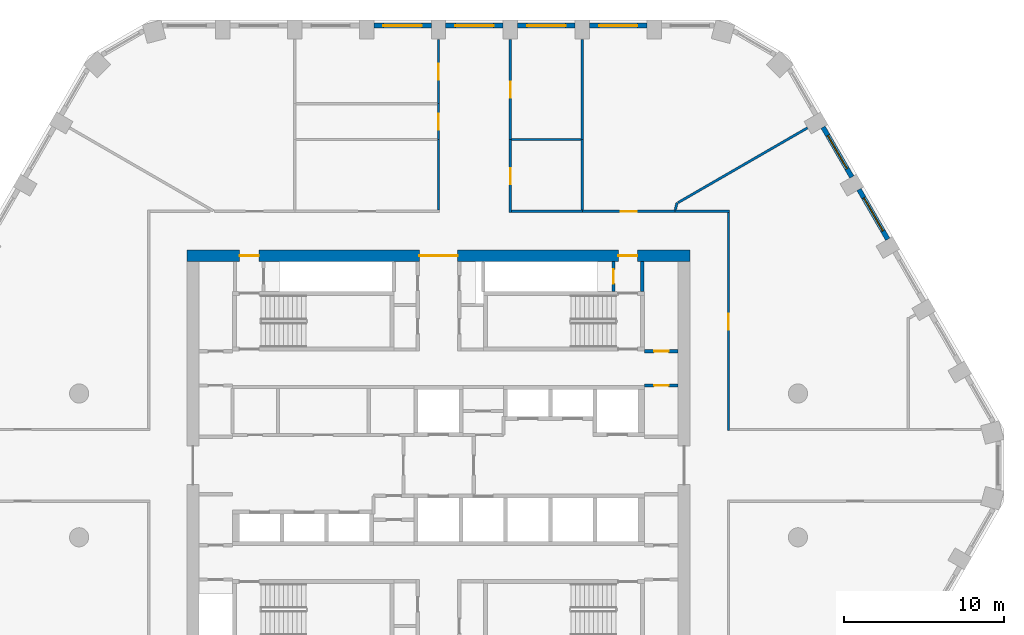
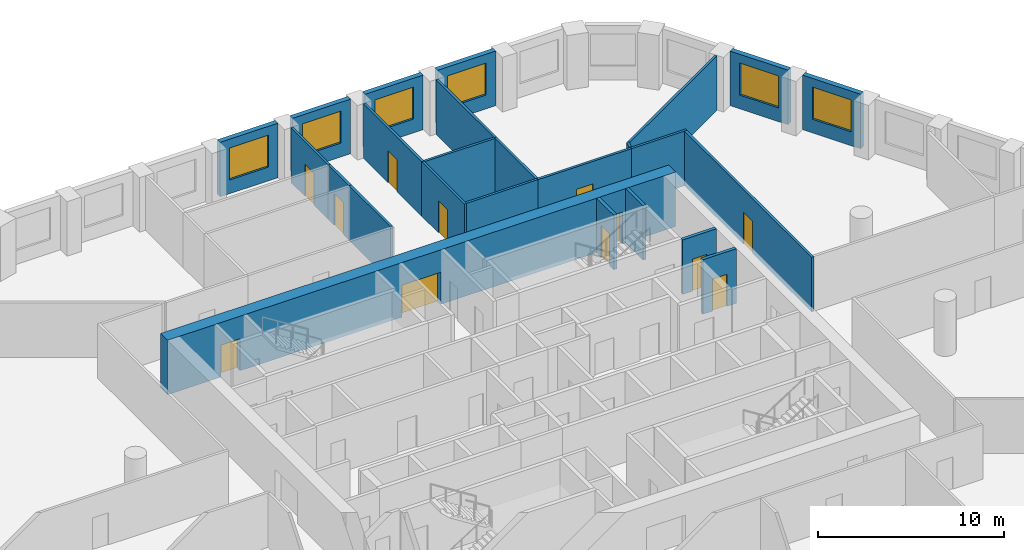
# One storey, part 7 of 9: 25 walls, 12 doors, 6 windows, 18 openings.
"""IFC4 building model written with IfcOpenShell, lengths in metres."""

from ifc_helpers import new_model, si_unit, direction, frame, frame_2d, origin, place, context, subcontext, project, spatial, rectangle, extrude, material, layer, layer_set, type_object, element, fill, save


model = new_model("IFC4")

# Units and contexts
model_context = context("Model", 3, precision=1e-05, world=origin(), true_north=direction((0.0, 1.0)))
body_context = subcontext(model_context, "Body", "Model", "MODEL_VIEW")
ifc_project = project(units=[si_unit("LENGTHUNIT", "METRE"), si_unit("AREAUNIT", "SQUARE_METRE"), si_unit("VOLUMEUNIT", "CUBIC_METRE"), si_unit("PLANEANGLEUNIT", "RADIAN"), si_unit("MASSUNIT", "GRAM", prefix="KILO")], contexts=[model_context])

# Site, building, storey
site_placement = place(None, origin())
site = spatial("IfcSite", under=ifc_project, at=site_placement, CompositionType="ELEMENT")
building_placement = place(site_placement, origin())
building = spatial("IfcBuilding", under=site, at=building_placement, Name="Dhurran Vertical Campus", CompositionType="ELEMENT")
storey_placement = place(building_placement, frame((0.0, 0.0, 159.89990234375)))
storey = spatial("IfcBuildingStorey", under=building, at=storey_placement, Name="L39", CompositionType="ELEMENT", Elevation=159.89990234375)

# Wall, opening, window
ifc_material_1 = material(Name="Precast concrete C50/60", Category="concrete")
ifc_layer_1 = layer(ifc_material_1, 0.300048828125)
ifc_layer_set_1 = layer_set([ifc_layer_1], Name="Precast concrete C50/60")
wall_type_1 = type_object("IfcWallType", Name="Precast spandrel wall 300", PredefinedType="SOLIDWALL", material=ifc_layer_set_1)
wall_1_placement = place(storey_placement, frame((28.118896484375, 14.156494140625, 0.0), z_axis=(0.0, 0.0, 1.0), x_axis=(-0.500027802648, 0.866009351323, 0.0)))
wall_1 = element("IfcWall", 1, at=wall_1_placement, inside=storey, type_object=wall_type_1, Name="EW1 L39.19", PredefinedType="SOLIDWALL", context=body_context, shape_type="SweptSolid", body=[
    extrude(rectangle(XDim=3.598876953125, YDim=0.300048828125, at=frame_2d((1.79931640625, 0.0))), origin(), (0.0, 0.0, 1.0), 3.5751953125),
])
opening_1_placement = place(wall_1_placement, frame((0.599609375, 0.0, 0.89990234375)))
opening_1 = element("IfcOpeningElement", 2, at=opening_1_placement, cuts=wall_1, Name="Opening WT1", PredefinedType="OPENING", context=body_context, shape_type="SweptSolid", body=[
    extrude(rectangle(XDim=2.39990234375, YDim=2.10009765625, at=frame_2d((1.199951171875, 1.050048828125))), frame((0.0, 0.159912109375, 0.0), z_axis=(0.0, -1.0, 0.0), x_axis=(1.0, 0.0, 0.0)), (0.0, 0.0, 1.0), 0.320068359375),
])
ifc_material_2 = material(Name="Aluminium frame with solar-control glass", Category="aluminium")
window_type = type_object("IfcWindowType", Name="Punched window 2400 x 2100", PartitioningType="SINGLE_PANEL", PredefinedType="WINDOW", material=ifc_material_2)
window_1_placement = place(opening_1_placement, origin())
window_1 = element("IfcWindow", 3, at=window_1_placement, inside=storey, type_object=window_type, Name="WT1 L39.19", OverallHeight=2.10009765625, OverallWidth=2.39990234375, PartitioningType="SINGLE_PANEL", PredefinedType="WINDOW", context=body_context, shape_type="SweptSolid", body=[
    extrude(rectangle(XDim=2.39990234375, YDim=2.10009765625, at=frame_2d((1.199951171875, 1.050048828125))), frame((0.0, 0.030029296875, 0.0), z_axis=(0.0, -1.0, 0.0), x_axis=(1.0, 0.0, 0.0)), (0.0, 0.0, 1.0), 0.06005859375),
])
fill(opening_1, window_1)

wall_2_placement = place(storey_placement, frame((25.868896484375, 18.0537109375, 0.0), z_axis=(0.0, 0.0, 1.0), x_axis=(-0.500027802648, 0.866009351323, 0.0)))
wall_2 = element("IfcWall", 4, at=wall_2_placement, inside=storey, type_object=wall_type_1, Name="EW1 L39.20", PredefinedType="SOLIDWALL", context=body_context, shape_type="SweptSolid", body=[
    extrude(rectangle(XDim=3.598876953125, YDim=0.300048828125, at=frame_2d((1.79931640625, 0.0))), origin(), (0.0, 0.0, 1.0), 3.5751953125),
])
opening_2_placement = place(wall_2_placement, frame((0.599609375, 0.0, 0.89990234375)))
opening_2 = element("IfcOpeningElement", 5, at=opening_2_placement, cuts=wall_2, Name="Opening WT1", PredefinedType="OPENING", context=body_context, shape_type="SweptSolid", body=[
    extrude(rectangle(XDim=2.39990234375, YDim=2.10009765625, at=frame_2d((1.199951171875, 1.050048828125))), frame((0.0, 0.159912109375, 0.0), z_axis=(0.0, -1.0, 0.0), x_axis=(1.0, 0.0, 0.0)), (0.0, 0.0, 1.0), 0.320068359375),
])
window_2_placement = place(opening_2_placement, origin())
window_2 = element("IfcWindow", 6, at=window_2_placement, inside=storey, type_object=window_type, Name="WT1 L39.20", OverallHeight=2.10009765625, OverallWidth=2.39990234375, PartitioningType="SINGLE_PANEL", PredefinedType="WINDOW", context=body_context, shape_type="SweptSolid", body=[
    extrude(rectangle(XDim=2.39990234375, YDim=2.10009765625, at=frame_2d((1.199951171875, 1.050048828125))), frame((0.0, 0.030029296875, 0.0), z_axis=(0.0, -1.0, 0.0), x_axis=(1.0, 0.0, 0.0)), (0.0, 0.0, 1.0), 0.06005859375),
])
fill(opening_2, window_2)

wall_3_placement = place(storey_placement, frame((13.049560546875, 27.53271484375, 0.0), z_axis=(0.0, 0.0, 1.0), x_axis=(-1.0, 0.0, 0.0)))
wall_3 = element("IfcWall", 7, at=wall_3_placement, inside=storey, type_object=wall_type_1, Name="EW1 L39.24", PredefinedType="SOLIDWALL", context=body_context, shape_type="SweptSolid", body=[
    extrude(rectangle(XDim=3.59912109375, YDim=0.300048828125, at=frame_2d((1.799560546875, 0.0))), origin(), (0.0, 0.0, 1.0), 3.5751953125),
])
opening_3_placement = place(wall_3_placement, frame((0.599609375, 0.0, 0.89990234375)))
opening_3 = element("IfcOpeningElement", 8, at=opening_3_placement, cuts=wall_3, Name="Opening WT1", PredefinedType="OPENING", context=body_context, shape_type="SweptSolid", body=[
    extrude(rectangle(XDim=2.39990234375, YDim=2.10009765625, at=frame_2d((1.199951171875, 1.050048828125))), frame((0.0, 0.159912109375, 0.0), z_axis=(0.0, -1.0, 0.0), x_axis=(1.0, 0.0, 0.0)), (0.0, 0.0, 1.0), 0.320068359375),
])
window_3_placement = place(opening_3_placement, origin())
window_3 = element("IfcWindow", 9, at=window_3_placement, inside=storey, type_object=window_type, Name="WT1 L39.24", OverallHeight=2.10009765625, OverallWidth=2.39990234375, PartitioningType="SINGLE_PANEL", PredefinedType="WINDOW", context=body_context, shape_type="SweptSolid", body=[
    extrude(rectangle(XDim=2.39990234375, YDim=2.10009765625, at=frame_2d((1.199951171875, 1.050048828125))), frame((0.0, 0.030029296875, 0.0), z_axis=(0.0, -1.0, 0.0), x_axis=(1.0, 0.0, 0.0)), (0.0, 0.0, 1.0), 0.06005859375),
])
fill(opening_3, window_3)

wall_4_placement = place(storey_placement, frame((8.549560546875, 27.53271484375, 0.0), z_axis=(0.0, 0.0, 1.0), x_axis=(-1.0, 0.0, 0.0)))
wall_4 = element("IfcWall", 10, at=wall_4_placement, inside=storey, type_object=wall_type_1, Name="EW1 L39.25", PredefinedType="SOLIDWALL", context=body_context, shape_type="SweptSolid", body=[
    extrude(rectangle(XDim=3.59912109375, YDim=0.300048828125, at=frame_2d((1.799560546875, 0.0))), origin(), (0.0, 0.0, 1.0), 3.5751953125),
])
opening_4_placement = place(wall_4_placement, frame((0.599609375, 0.0, 0.89990234375)))
opening_4 = element("IfcOpeningElement", 11, at=opening_4_placement, cuts=wall_4, Name="Opening WT1", PredefinedType="OPENING", context=body_context, shape_type="SweptSolid", body=[
    extrude(rectangle(XDim=2.39990234375, YDim=2.10009765625, at=frame_2d((1.199951171875, 1.050048828125))), frame((0.0, 0.159912109375, 0.0), z_axis=(0.0, -1.0, 0.0), x_axis=(1.0, 0.0, 0.0)), (0.0, 0.0, 1.0), 0.320068359375),
])
window_4_placement = place(opening_4_placement, origin())
window_4 = element("IfcWindow", 12, at=window_4_placement, inside=storey, type_object=window_type, Name="WT1 L39.25", OverallHeight=2.10009765625, OverallWidth=2.39990234375, PartitioningType="SINGLE_PANEL", PredefinedType="WINDOW", context=body_context, shape_type="SweptSolid", body=[
    extrude(rectangle(XDim=2.39990234375, YDim=2.10009765625, at=frame_2d((1.199951171875, 1.050048828125))), frame((0.0, 0.030029296875, 0.0), z_axis=(0.0, -1.0, 0.0), x_axis=(1.0, 0.0, 0.0)), (0.0, 0.0, 1.0), 0.06005859375),
])
fill(opening_4, window_4)

wall_5_placement = place(storey_placement, frame((4.049560546875, 27.53271484375, 0.0), z_axis=(0.0, 0.0, 1.0), x_axis=(-1.0, 0.0, 0.0)))
wall_5 = element("IfcWall", 13, at=wall_5_placement, inside=storey, type_object=wall_type_1, Name="EW1 L39.26", PredefinedType="SOLIDWALL", context=body_context, shape_type="SweptSolid", body=[
    extrude(rectangle(XDim=3.59912109375, YDim=0.300048828125, at=frame_2d((1.799560546875, 0.0))), origin(), (0.0, 0.0, 1.0), 3.5751953125),
])
opening_5_placement = place(wall_5_placement, frame((0.599609375, 0.0, 0.89990234375)))
opening_5 = element("IfcOpeningElement", 14, at=opening_5_placement, cuts=wall_5, Name="Opening WT1", PredefinedType="OPENING", context=body_context, shape_type="SweptSolid", body=[
    extrude(rectangle(XDim=2.39990234375, YDim=2.10009765625, at=frame_2d((1.199951171875, 1.050048828125))), frame((0.0, 0.159912109375, 0.0), z_axis=(0.0, -1.0, 0.0), x_axis=(1.0, 0.0, 0.0)), (0.0, 0.0, 1.0), 0.320068359375),
])
window_5_placement = place(opening_5_placement, origin())
window_5 = element("IfcWindow", 15, at=window_5_placement, inside=storey, type_object=window_type, Name="WT1 L39.26", OverallHeight=2.10009765625, OverallWidth=2.39990234375, PartitioningType="SINGLE_PANEL", PredefinedType="WINDOW", context=body_context, shape_type="SweptSolid", body=[
    extrude(rectangle(XDim=2.39990234375, YDim=2.10009765625, at=frame_2d((1.199951171875, 1.050048828125))), frame((0.0, 0.030029296875, 0.0), z_axis=(0.0, -1.0, 0.0), x_axis=(1.0, 0.0, 0.0)), (0.0, 0.0, 1.0), 0.06005859375),
])
fill(opening_5, window_5)

wall_6_placement = place(storey_placement, frame((-0.450439453125, 27.53271484375, 0.0), z_axis=(0.0, 0.0, 1.0), x_axis=(-1.0, 0.0, 0.0)))
wall_6 = element("IfcWall", 16, at=wall_6_placement, inside=storey, type_object=wall_type_1, Name="EW1 L39.27", PredefinedType="SOLIDWALL", context=body_context, shape_type="SweptSolid", body=[
    extrude(rectangle(XDim=3.59912109375, YDim=0.300048828125, at=frame_2d((1.799560546875, 0.0))), origin(), (0.0, 0.0, 1.0), 3.5751953125),
])
opening_6_placement = place(wall_6_placement, frame((0.599609375, 0.0, 0.89990234375)))
opening_6 = element("IfcOpeningElement", 17, at=opening_6_placement, cuts=wall_6, Name="Opening WT1", PredefinedType="OPENING", context=body_context, shape_type="SweptSolid", body=[
    extrude(rectangle(XDim=2.39990234375, YDim=2.10009765625, at=frame_2d((1.199951171875, 1.050048828125))), frame((0.0, 0.159912109375, 0.0), z_axis=(0.0, -1.0, 0.0), x_axis=(1.0, 0.0, 0.0)), (0.0, 0.0, 1.0), 0.320068359375),
])
window_6_placement = place(opening_6_placement, origin())
window_6 = element("IfcWindow", 18, at=window_6_placement, inside=storey, type_object=window_type, Name="WT1 L39.27", OverallHeight=2.10009765625, OverallWidth=2.39990234375, PartitioningType="SINGLE_PANEL", PredefinedType="WINDOW", context=body_context, shape_type="SweptSolid", body=[
    extrude(rectangle(XDim=2.39990234375, YDim=2.10009765625, at=frame_2d((1.199951171875, 1.050048828125))), frame((0.0, 0.030029296875, 0.0), z_axis=(0.0, -1.0, 0.0), x_axis=(1.0, 0.0, 0.0)), (0.0, 0.0, 1.0), 0.06005859375),
])
fill(opening_6, window_6)

# Wall, openings, doors
ifc_material_3 = material(Name="Concrete C60/75", Category="concrete")
ifc_layer_2 = layer(ifc_material_3, 0.75)
ifc_layer_set_2 = layer_set([ifc_layer_2], Name="Concrete C60/75")
wall_type_2 = type_object("IfcWallType", Name="co-CORE-WALL-C1-750", PredefinedType="SHEAR", material=ifc_layer_set_2)
wall_7_placement = place(storey_placement, frame((-15.75, 13.125, 0.0), z_axis=(0.0, 0.0, 1.0), x_axis=(1.0, 0.0, 0.0)))
wall_7 = element("IfcWall", 19, at=wall_7_placement, inside=storey, type_object=wall_type_2, Name="Core wall N L39", PredefinedType="SHEAR", context=body_context, shape_type="SweptSolid", body=[
    extrude(rectangle(XDim=31.5, YDim=0.75, at=frame_2d((15.75, 0.0))), origin(), (0.0, 0.0, 1.0), 3.5751953125),
])
opening_7_placement = place(wall_7_placement, frame((14.550048828125, 0.0, 0.0)))
opening_7 = element("IfcOpeningElement", 20, at=opening_7_placement, cuts=wall_7, Name="Opening CV1", PredefinedType="OPENING", context=body_context, shape_type="SweptSolid", body=[
    extrude(rectangle(XDim=2.39990234375, YDim=2.10009765625, at=frame_2d((1.199951171875, 1.050048828125))), frame((0.0, 0.385009765625, 0.0), z_axis=(0.0, -1.0, 0.0), x_axis=(1.0, 0.0, 0.0)), (0.0, 0.0, 1.0), 0.77001953125),
])
opening_8_placement = place(wall_7_placement, frame((3.300048828125, 0.0, 0.0)))
opening_8 = element("IfcOpeningElement", 21, at=opening_8_placement, cuts=wall_7, Name="Opening XD1", PredefinedType="OPENING", context=body_context, shape_type="SweptSolid", body=[
    extrude(rectangle(XDim=1.199951171875, YDim=2.10009765625, at=frame_2d((0.60009765625, 1.050048828125))), frame((0.0, 0.385009765625, 0.0), z_axis=(0.0, -1.0, 0.0), x_axis=(1.0, 0.0, 0.0)), (0.0, 0.0, 1.0), 0.77001953125),
])
opening_9_placement = place(wall_7_placement, frame((27.0, 0.0, 0.0)))
opening_9 = element("IfcOpeningElement", 22, at=opening_9_placement, cuts=wall_7, Name="Opening XD2", PredefinedType="OPENING", context=body_context, shape_type="SweptSolid", body=[
    extrude(rectangle(XDim=1.199951171875, YDim=2.10009765625, at=frame_2d((0.60009765625, 1.050048828125))), frame((0.0, 0.385009765625, 0.0), z_axis=(0.0, -1.0, 0.0), x_axis=(1.0, 0.0, 0.0)), (0.0, 0.0, 1.0), 0.77001953125),
])
ifc_material_4 = material(Name="Fire-rated glazed door set")
door_type_1 = type_object("IfcDoorType", Name="co-D-LOBBY 2400x2100", OperationType="DOUBLE_DOOR_DOUBLE_SWING", PredefinedType="DOOR", material=ifc_material_4)
door_1_placement = place(opening_7_placement, origin())
door_1 = element("IfcDoor", 23, at=door_1_placement, inside=storey, type_object=door_type_1, Name="Core vestibule door N L39", OperationType="DOUBLE_DOOR_DOUBLE_SWING", OverallHeight=2.10009765625, OverallWidth=2.39990234375, PredefinedType="DOOR", context=body_context, shape_type="SweptSolid", body=[
    extrude(rectangle(XDim=2.39990234375, YDim=2.10009765625, at=frame_2d((1.199951171875, 1.050048828125))), frame((0.0, 0.02490234375, 0.0), z_axis=(0.0, -1.0, 0.0), x_axis=(1.0, 0.0, 0.0)), (0.0, 0.0, 1.0), 0.050048828125),
])
fill(opening_7, door_1)
ifc_material_5 = material(Name="Fire-rated steel door set", Category="steel")
door_type_2 = type_object("IfcDoorType", Name="co-D-STAIR-EXIT 1200x2100", OperationType="SINGLE_SWING_RIGHT", PredefinedType="DOOR", material=ifc_material_5)
door_2_placement = place(opening_8_placement, origin())
door_2 = element("IfcDoor", 24, at=door_2_placement, inside=storey, type_object=door_type_2, Name="Stair ST1 exit door L39", OperationType="SINGLE_SWING_RIGHT", OverallHeight=2.10009765625, OverallWidth=1.199951171875, PredefinedType="DOOR", context=body_context, shape_type="SweptSolid", body=[
    extrude(rectangle(XDim=1.199951171875, YDim=2.10009765625, at=frame_2d((0.60009765625, 1.050048828125))), frame((0.0, 0.02490234375, 0.0), z_axis=(0.0, -1.0, 0.0), x_axis=(1.0, 0.0, 0.0)), (0.0, 0.0, 1.0), 0.050048828125),
])
fill(opening_8, door_2)
door_3_placement = place(opening_9_placement, origin())
door_3 = element("IfcDoor", 25, at=door_3_placement, inside=storey, type_object=door_type_2, Name="Stair ST2 exit door L39", OperationType="SINGLE_SWING_RIGHT", OverallHeight=2.10009765625, OverallWidth=1.199951171875, PredefinedType="DOOR", context=body_context, shape_type="SweptSolid", body=[
    extrude(rectangle(XDim=1.199951171875, YDim=2.10009765625, at=frame_2d((0.60009765625, 1.050048828125))), frame((0.0, 0.02490234375, 0.0), z_axis=(0.0, -1.0, 0.0), x_axis=(1.0, 0.0, 0.0)), (0.0, 0.0, 1.0), 0.050048828125),
])
fill(opening_9, door_3)

# Wall
ifc_material_6 = material(Name="Fire-rated masonry blockwork", Category="masonry")
ifc_layer_3 = layer(ifc_material_6, 0.199951171875)
ifc_layer_set_3 = layer_set([ifc_layer_3], Name="Fire-rated masonry blockwork")
wall_type_3 = type_object("IfcWallType", Name="co-FIRE-PARTITION-200", PredefinedType="PARTITIONING", material=ifc_layer_set_3)
wall_8_placement = place(storey_placement, frame((12.75, 10.89990234375, 0.0), z_axis=(0.0, 0.0, 1.0), x_axis=(0.0, 1.0, 0.0)))
element("IfcWall", 26, at=wall_8_placement, inside=storey, type_object=wall_type_3, Name="Core partition pass-ST2-o L39", PredefinedType="PARTITIONING", context=body_context, shape_type="SweptSolid", body=[
    extrude(rectangle(XDim=1.85009765625, YDim=0.199951171875, at=frame_2d((0.925048828125, 0.0))), origin(), (0.0, 0.0, 1.0), 3.5751953125),
])

# Wall, opening, door
wall_9_placement = place(storey_placement, frame((10.949951171875, 10.89990234375, 0.0), z_axis=(0.0, 0.0, 1.0), x_axis=(0.0, 1.0, 0.0)))
wall_9 = element("IfcWall", 27, at=wall_9_placement, inside=storey, type_object=wall_type_3, Name="Core partition pass-ST2-i L39", PredefinedType="PARTITIONING", context=body_context, shape_type="SweptSolid", body=[
    extrude(rectangle(XDim=1.85009765625, YDim=0.199951171875, at=frame_2d((0.925048828125, 0.0))), origin(), (0.0, 0.0, 1.0), 3.5751953125),
])
opening_10_placement = place(wall_9_placement, frame((0.47509765625, 0.0, 0.0)))
opening_10 = element("IfcOpeningElement", 28, at=opening_10_placement, cuts=wall_9, Name="Opening T11-C9", PredefinedType="OPENING", context=body_context, shape_type="SweptSolid", body=[
    extrude(rectangle(XDim=0.89990234375, YDim=2.10009765625, at=frame_2d((0.449951171875, 1.050048828125))), frame((0.0, 0.10986328125, 0.0), z_axis=(0.0, -1.0, 0.0), x_axis=(1.0, 0.0, 0.0)), (0.0, 0.0, 1.0), 0.219970703125),
])
ifc_material_7 = material(Name="Fire-rated timber door set", Category="wood")
door_type_3 = type_object("IfcDoorType", Name="co-D-ROOM 900x2100", OperationType="SINGLE_SWING_LEFT", PredefinedType="DOOR", material=ifc_material_7)
door_4_placement = place(opening_10_placement, origin())
door_4 = element("IfcDoor", 29, at=door_4_placement, inside=storey, type_object=door_type_3, Name="Riser room door L39", OperationType="SINGLE_SWING_LEFT", OverallHeight=2.10009765625, OverallWidth=0.89990234375, PredefinedType="DOOR", context=body_context, shape_type="SweptSolid", body=[
    extrude(rectangle(XDim=0.89990234375, YDim=2.10009765625, at=frame_2d((0.449951171875, 1.050048828125))), frame((0.0, 0.02490234375, 0.0), z_axis=(0.0, -1.0, 0.0), x_axis=(1.0, 0.0, 0.0)), (0.0, 0.0, 1.0), 0.050048828125),
])
fill(opening_10, door_4)

wall_10_placement = place(storey_placement, frame((12.89990234375, 7.14990234375, 0.0), z_axis=(0.0, 0.0, 1.0), x_axis=(1.0, 0.0, 0.0)))
wall_10 = element("IfcWall", 30, at=wall_10_placement, inside=storey, type_object=wall_type_3, Name="Core partition en-NE-w L39", PredefinedType="PARTITIONING", context=body_context, shape_type="SweptSolid", body=[
    extrude(rectangle(XDim=2.10009765625, YDim=0.199951171875, at=frame_2d((1.050048828125, 0.0))), origin(), (0.0, 0.0, 1.0), 3.5751953125),
])
opening_11_placement = place(wall_10_placement, frame((0.60009765625, 0.0, 0.0)))
opening_11 = element("IfcOpeningElement", 31, at=opening_11_placement, cuts=wall_10, Name="Opening T11-C14", PredefinedType="OPENING", context=body_context, shape_type="SweptSolid", body=[
    extrude(rectangle(XDim=0.89990234375, YDim=2.10009765625, at=frame_2d((0.449951171875, 1.050048828125))), frame((0.0, 0.10986328125, 0.0), z_axis=(0.0, -1.0, 0.0), x_axis=(1.0, 0.0, 0.0)), (0.0, 0.0, 1.0), 0.219970703125),
])
door_5_placement = place(opening_11_placement, origin())
door_5 = element("IfcDoor", 32, at=door_5_placement, inside=storey, type_object=door_type_3, Name="Waste room door L39", OperationType="SINGLE_SWING_LEFT", OverallHeight=2.10009765625, OverallWidth=0.89990234375, PredefinedType="DOOR", context=body_context, shape_type="SweptSolid", body=[
    extrude(rectangle(XDim=0.89990234375, YDim=2.10009765625, at=frame_2d((0.449951171875, 1.050048828125))), frame((0.0, 0.02490234375, 0.0), z_axis=(0.0, -1.0, 0.0), x_axis=(1.0, 0.0, 0.0)), (0.0, 0.0, 1.0), 0.050048828125),
])
fill(opening_11, door_5)

wall_11_placement = place(storey_placement, frame((12.89990234375, 5.0, 0.0), z_axis=(0.0, 0.0, 1.0), x_axis=(1.0, 0.0, 0.0)))
wall_11 = element("IfcWall", 33, at=wall_11_placement, inside=storey, type_object=wall_type_3, Name="Core partition es-NE-w L39", PredefinedType="PARTITIONING", context=body_context, shape_type="SweptSolid", body=[
    extrude(rectangle(XDim=2.10009765625, YDim=0.199951171875, at=frame_2d((1.050048828125, 0.0))), origin(), (0.0, 0.0, 1.0), 3.5751953125),
])
opening_12_placement = place(wall_11_placement, frame((0.60009765625, 0.0, 0.0)))
opening_12 = element("IfcOpeningElement", 34, at=opening_12_placement, cuts=wall_11, Name="Opening T11-C15", PredefinedType="OPENING", context=body_context, shape_type="SweptSolid", body=[
    extrude(rectangle(XDim=0.89990234375, YDim=2.10009765625, at=frame_2d((0.449951171875, 1.050048828125))), frame((0.0, 0.10986328125, 0.0), z_axis=(0.0, -1.0, 0.0), x_axis=(1.0, 0.0, 0.0)), (0.0, 0.0, 1.0), 0.219970703125),
])
door_6_placement = place(opening_12_placement, origin())
door_6 = element("IfcDoor", 35, at=door_6_placement, inside=storey, type_object=door_type_3, Name="Plant room door L39", OperationType="SINGLE_SWING_LEFT", OverallHeight=2.10009765625, OverallWidth=0.89990234375, PredefinedType="DOOR", context=body_context, shape_type="SweptSolid", body=[
    extrude(rectangle(XDim=0.89990234375, YDim=2.10009765625, at=frame_2d((0.449951171875, 1.050048828125))), frame((0.0, 0.02490234375, 0.0), z_axis=(0.0, -1.0, 0.0), x_axis=(1.0, 0.0, 0.0)), (0.0, 0.0, 1.0), 0.050048828125),
])
fill(opening_12, door_6)

# Wall
ifc_material_8 = material(Name="Gypsum board corridor wall on steel studs", Category="steel")
ifc_layer_4 = layer(ifc_material_8, 0.14990234375)
ifc_layer_set_4 = layer_set([ifc_layer_4], Name="Gypsum board corridor wall on steel studs")
wall_type_4 = type_object("IfcWallType", Name="fl-CW-150 corridor wall", PredefinedType="PARTITIONING", material=ifc_layer_set_4)
wall_12_placement = place(storey_placement, frame((0.0, 15.97509765625, 0.0), z_axis=(0.0, 0.0, 1.0), x_axis=(0.0, 1.0, 0.0)))
element("IfcWall", 36, at=wall_12_placement, inside=storey, type_object=wall_type_4, Name="Partition 39-21", PredefinedType="PARTITIONING", context=body_context, shape_type="SweptSolid", body=[
    extrude(rectangle(XDim=4.4248046875, YDim=0.14990234375, at=frame_2d((2.21240234375, 0.0))), origin(), (0.0, 0.0, 1.0), 3.5751953125),
])

# Wall, opening, door
wall_13_placement = place(storey_placement, frame((0.0, 20.39990234375, 0.0), z_axis=(0.0, 0.0, 1.0), x_axis=(0.0, 1.0, 0.0)))
wall_13 = element("IfcWall", 37, at=wall_13_placement, inside=storey, type_object=wall_type_4, Name="Partition 39-22", PredefinedType="PARTITIONING", context=body_context, shape_type="SweptSolid", body=[
    extrude(rectangle(XDim=2.25, YDim=0.14990234375, at=frame_2d((1.125, 0.0))), origin(), (0.0, 0.0, 1.0), 3.5751953125),
])
opening_13_placement = place(wall_13_placement, frame((0.625, 0.0, 0.0)))
opening_13 = element("IfcOpeningElement", 38, at=opening_13_placement, cuts=wall_13, Name="Opening T11.07", PredefinedType="OPENING", context=body_context, shape_type="SweptSolid", body=[
    extrude(rectangle(XDim=1.0, YDim=2.10009765625, at=frame_2d((0.5, 1.050048828125))), frame((0.0, 0.0849609375, 0.0), z_axis=(0.0, -1.0, 0.0), x_axis=(1.0, 0.0, 0.0)), (0.0, 0.0, 1.0), 0.169921875),
])
ifc_material_9 = material(Name="Solid-core timber door set, fire-rated", Category="wood")
door_type_4 = type_object("IfcDoorType", Name="fl-D-1000x2100", OperationType="SINGLE_SWING_LEFT", PredefinedType="DOOR", material=ifc_material_9)
door_7_placement = place(opening_13_placement, origin())
door_7 = element("IfcDoor", 39, at=door_7_placement, inside=storey, type_object=door_type_4, Name="Door 39.07", OperationType="SINGLE_SWING_LEFT", OverallHeight=2.10009765625, OverallWidth=1.0, PredefinedType="DOOR", context=body_context, shape_type="SweptSolid", body=[
    extrude(rectangle(XDim=1.0, YDim=2.10009765625, at=frame_2d((0.5, 1.050048828125))), frame((0.0, 0.02490234375, 0.0), z_axis=(0.0, -1.0, 0.0), x_axis=(1.0, 0.0, 0.0)), (0.0, 0.0, 1.0), 0.050048828125),
])
fill(opening_13, door_7)

wall_14_placement = place(storey_placement, frame((0.0, 22.64990234375, 0.0), z_axis=(0.0, 0.0, 1.0), x_axis=(0.0, 1.0, 0.0)))
wall_14 = element("IfcWall", 40, at=wall_14_placement, inside=storey, type_object=wall_type_4, Name="Partition 39-23", PredefinedType="PARTITIONING", context=body_context, shape_type="SweptSolid", body=[
    extrude(rectangle(XDim=4.0126953125, YDim=0.14990234375, at=frame_2d((2.00634765625, 0.0))), origin(), (0.0, 0.0, 1.0), 3.5751953125),
])
opening_14_placement = place(wall_14_placement, frame((1.50634765625, 0.0, 0.0)))
opening_14 = element("IfcOpeningElement", 41, at=opening_14_placement, cuts=wall_14, Name="Opening T11.08", PredefinedType="OPENING", context=body_context, shape_type="SweptSolid", body=[
    extrude(rectangle(XDim=1.0, YDim=2.10009765625, at=frame_2d((0.5, 1.050048828125))), frame((0.0, 0.0849609375, 0.0), z_axis=(0.0, -1.0, 0.0), x_axis=(1.0, 0.0, 0.0)), (0.0, 0.0, 1.0), 0.169921875),
])
door_8_placement = place(opening_14_placement, origin())
door_8 = element("IfcDoor", 42, at=door_8_placement, inside=storey, type_object=door_type_4, Name="Door 39.08", OperationType="SINGLE_SWING_RIGHT", OverallHeight=2.10009765625, OverallWidth=1.0, PredefinedType="DOOR", context=body_context, shape_type="SweptSolid", body=[
    extrude(rectangle(XDim=1.0, YDim=2.10009765625, at=frame_2d((0.5, 1.050048828125))), frame((0.0, 0.02490234375, 0.0), z_axis=(0.0, -1.0, 0.0), x_axis=(1.0, 0.0, 0.0)), (0.0, 0.0, 1.0), 0.050048828125),
])
fill(opening_14, door_8)

wall_15_placement = place(storey_placement, frame((4.5, 20.39990234375, 0.0), z_axis=(0.0, 0.0, 1.0), x_axis=(0.0, -1.0, 0.0)))
wall_15 = element("IfcWall", 43, at=wall_15_placement, inside=storey, type_object=wall_type_4, Name="Partition 39-26", PredefinedType="PARTITIONING", context=body_context, shape_type="SweptSolid", body=[
    extrude(rectangle(XDim=4.574951171875, YDim=0.14990234375, at=frame_2d((2.28759765625, 0.0))), origin(), (0.0, 0.0, 1.0), 3.5751953125),
])
opening_15_placement = place(wall_15_placement, frame((1.78759765625, 0.0, 0.0)))
opening_15 = element("IfcOpeningElement", 44, at=opening_15_placement, cuts=wall_15, Name="Opening T11.10", PredefinedType="OPENING", context=body_context, shape_type="SweptSolid", body=[
    extrude(rectangle(XDim=1.0, YDim=2.10009765625, at=frame_2d((0.5, 1.050048828125))), frame((0.0, 0.0849609375, 0.0), z_axis=(0.0, -1.0, 0.0), x_axis=(1.0, 0.0, 0.0)), (0.0, 0.0, 1.0), 0.169921875),
])
door_9_placement = place(opening_15_placement, origin())
door_9 = element("IfcDoor", 45, at=door_9_placement, inside=storey, type_object=door_type_4, Name="Door 39.10", OperationType="SINGLE_SWING_RIGHT", OverallHeight=2.10009765625, OverallWidth=1.0, PredefinedType="DOOR", context=body_context, shape_type="SweptSolid", body=[
    extrude(rectangle(XDim=1.0, YDim=2.10009765625, at=frame_2d((0.5, 1.050048828125))), frame((0.0, 0.02490234375, 0.0), z_axis=(0.0, -1.0, 0.0), x_axis=(1.0, 0.0, 0.0)), (0.0, 0.0, 1.0), 0.050048828125),
])
fill(opening_15, door_9)

# Wall
wall_16_placement = place(storey_placement, frame((9.0, 15.89990234375, 0.0), z_axis=(0.0, 0.0, 1.0), x_axis=(-1.0, 0.0, 0.0)))
element("IfcWall", 46, at=wall_16_placement, inside=storey, type_object=wall_type_4, Name="Partition 39-27", PredefinedType="PARTITIONING", context=body_context, shape_type="SweptSolid", body=[
    extrude(rectangle(XDim=4.425048828125, YDim=0.14990234375, at=frame_2d((2.21240234375, 0.0))), origin(), (0.0, 0.0, 1.0), 3.5751953125),
])

# Wall, opening, door
wall_17_placement = place(storey_placement, frame((4.5, 26.66259765625, 0.0), z_axis=(0.0, 0.0, 1.0), x_axis=(0.0, -1.0, 0.0)))
wall_17 = element("IfcWall", 47, at=wall_17_placement, inside=storey, type_object=wall_type_4, Name="Partition 39-28", PredefinedType="PARTITIONING", context=body_context, shape_type="SweptSolid", body=[
    extrude(rectangle(XDim=6.2626953125, YDim=0.14990234375, at=frame_2d((3.13134765625, 0.0))), origin(), (0.0, 0.0, 1.0), 3.5751953125),
])
opening_16_placement = place(wall_17_placement, frame((2.63134765625, 0.0, 0.0)))
opening_16 = element("IfcOpeningElement", 48, at=opening_16_placement, cuts=wall_17, Name="Opening T11.11", PredefinedType="OPENING", context=body_context, shape_type="SweptSolid", body=[
    extrude(rectangle(XDim=1.0, YDim=2.10009765625, at=frame_2d((0.5, 1.050048828125))), frame((0.0, 0.0849609375, 0.0), z_axis=(0.0, -1.0, 0.0), x_axis=(1.0, 0.0, 0.0)), (0.0, 0.0, 1.0), 0.169921875),
])
door_10_placement = place(opening_16_placement, origin())
door_10 = element("IfcDoor", 49, at=door_10_placement, inside=storey, type_object=door_type_4, Name="Door 39.11", OperationType="SINGLE_SWING_RIGHT", OverallHeight=2.10009765625, OverallWidth=1.0, PredefinedType="DOOR", context=body_context, shape_type="SweptSolid", body=[
    extrude(rectangle(XDim=1.0, YDim=2.10009765625, at=frame_2d((0.5, 1.050048828125))), frame((0.0, 0.02490234375, 0.0), z_axis=(0.0, -1.0, 0.0), x_axis=(1.0, 0.0, 0.0)), (0.0, 0.0, 1.0), 0.050048828125),
])
fill(opening_16, door_10)

wall_18_placement = place(storey_placement, frame((14.7890625, 15.89990234375, 0.0), z_axis=(0.0, 0.0, 1.0), x_axis=(-1.0, 0.0, 0.0)))
wall_18 = element("IfcWall", 50, at=wall_18_placement, inside=storey, type_object=wall_type_4, Name="Partition 39-31", PredefinedType="PARTITIONING", context=body_context, shape_type="SweptSolid", body=[
    extrude(rectangle(XDim=5.7890625, YDim=0.14990234375, at=frame_2d((2.89453125, 0.0))), origin(), (0.0, 0.0, 1.0), 3.5751953125),
])
opening_17_placement = place(wall_18_placement, frame((2.39453125, 0.0, 0.0)))
opening_17 = element("IfcOpeningElement", 51, at=opening_17_placement, cuts=wall_18, Name="Opening T11.13", PredefinedType="OPENING", context=body_context, shape_type="SweptSolid", body=[
    extrude(rectangle(XDim=1.0, YDim=2.10009765625, at=frame_2d((0.5, 1.050048828125))), frame((0.0, 0.0849609375, 0.0), z_axis=(0.0, -1.0, 0.0), x_axis=(1.0, 0.0, 0.0)), (0.0, 0.0, 1.0), 0.169921875),
])
door_11_placement = place(opening_17_placement, origin())
door_11 = element("IfcDoor", 52, at=door_11_placement, inside=storey, type_object=door_type_4, Name="Door 39.13", OperationType="SINGLE_SWING_RIGHT", OverallHeight=2.10009765625, OverallWidth=1.0, PredefinedType="DOOR", context=body_context, shape_type="SweptSolid", body=[
    extrude(rectangle(XDim=1.0, YDim=2.10009765625, at=frame_2d((0.5, 1.050048828125))), frame((0.0, 0.02490234375, 0.0), z_axis=(0.0, -1.0, 0.0), x_axis=(1.0, 0.0, 0.0)), (0.0, 0.0, 1.0), 0.050048828125),
])
fill(opening_17, door_11)

# Wall
wall_19_placement = place(storey_placement, frame((18.22509765625, 15.89990234375, 0.0), z_axis=(0.0, 0.0, 1.0), x_axis=(-1.0, 0.0, 0.0)))
element("IfcWall", 53, at=wall_19_placement, inside=storey, type_object=wall_type_4, Name="Partition 39-36", PredefinedType="PARTITIONING", context=body_context, shape_type="SweptSolid", body=[
    extrude(rectangle(XDim=3.43603515625, YDim=0.14990234375, at=frame_2d((1.718017578125, 0.0))), origin(), (0.0, 0.0, 1.0), 3.5751953125),
])

# Wall, opening, door
wall_20_placement = place(storey_placement, frame((18.14990234375, 2.175048828125, 0.0), z_axis=(0.0, 0.0, 1.0), x_axis=(0.0, 1.0, 0.0)))
wall_20 = element("IfcWall", 54, at=wall_20_placement, inside=storey, type_object=wall_type_4, Name="Partition 39-42", PredefinedType="PARTITIONING", context=body_context, shape_type="SweptSolid", body=[
    extrude(rectangle(XDim=13.64990234375, YDim=0.14990234375, at=frame_2d((6.824951171875, 0.0))), origin(), (0.0, 0.0, 1.0), 3.5751953125),
])
opening_18_placement = place(wall_20_placement, frame((6.324951171875, 0.0, 0.0)))
opening_18 = element("IfcOpeningElement", 55, at=opening_18_placement, cuts=wall_20, Name="Opening T11.15", PredefinedType="OPENING", context=body_context, shape_type="SweptSolid", body=[
    extrude(rectangle(XDim=1.0, YDim=2.10009765625, at=frame_2d((0.5, 1.050048828125))), frame((0.0, 0.0849609375, 0.0), z_axis=(0.0, -1.0, 0.0), x_axis=(1.0, 0.0, 0.0)), (0.0, 0.0, 1.0), 0.169921875),
])
door_12_placement = place(opening_18_placement, origin())
door_12 = element("IfcDoor", 56, at=door_12_placement, inside=storey, type_object=door_type_4, Name="Door 39.15", OperationType="SINGLE_SWING_RIGHT", OverallHeight=2.10009765625, OverallWidth=1.0, PredefinedType="DOOR", context=body_context, shape_type="SweptSolid", body=[
    extrude(rectangle(XDim=1.0, YDim=2.10009765625, at=frame_2d((0.5, 1.050048828125))), frame((0.0, 0.02490234375, 0.0), z_axis=(0.0, -1.0, 0.0), x_axis=(1.0, 0.0, 0.0)), (0.0, 0.0, 1.0), 0.050048828125),
])
fill(opening_18, door_12)

# Walls
ifc_material_10 = material(Name="Gypsum board partition on steel studs", Category="steel")
ifc_layer_5 = layer(ifc_material_10, 0.14990234375)
ifc_layer_set_5 = layer_set([ifc_layer_5], Name="Gypsum board partition on steel studs")
wall_type_5 = type_object("IfcWallType", Name="fl-PW-150 fixed partition", PredefinedType="PARTITIONING", material=ifc_layer_set_5)
wall_21_placement = place(storey_placement, frame((4.574951171875, 20.39990234375, 0.0), z_axis=(0.0, 0.0, 1.0), x_axis=(1.0, 0.0, 0.0)))
element("IfcWall", 57, at=wall_21_placement, inside=storey, type_object=wall_type_5, Name="Partition 39-29", PredefinedType="PARTITIONING", context=body_context, shape_type="SweptSolid", body=[
    extrude(rectangle(XDim=4.35009765625, YDim=0.14990234375, at=frame_2d((2.175048828125, 0.0))), origin(), (0.0, 0.0, 1.0), 3.5751953125),
])
wall_22_placement = place(storey_placement, frame((9.0, 20.39990234375, 0.0), z_axis=(0.0, 0.0, 1.0), x_axis=(0.0, -1.0, 0.0)))
element("IfcWall", 58, at=wall_22_placement, inside=storey, type_object=wall_type_5, Name="Partition 39-30", PredefinedType="PARTITIONING", context=body_context, shape_type="SweptSolid", body=[
    extrude(rectangle(XDim=4.4248046875, YDim=0.14990234375, at=frame_2d((2.21240234375, 0.0))), origin(), (0.0, 0.0, 1.0), 3.5751953125),
])
wall_23_placement = place(storey_placement, frame((9.0, 26.66259765625, 0.0), z_axis=(0.0, 0.0, 1.0), x_axis=(0.0, -1.0, 0.0)))
element("IfcWall", 59, at=wall_23_placement, inside=storey, type_object=wall_type_5, Name="Partition 39-32", PredefinedType="PARTITIONING", context=body_context, shape_type="SweptSolid", body=[
    extrude(rectangle(XDim=6.2626953125, YDim=0.14990234375, at=frame_2d((3.13134765625, 0.0))), origin(), (0.0, 0.0, 1.0), 3.5751953125),
])
wall_24_placement = place(storey_placement, frame((14.93505859375, 16.44580078125, 0.0), z_axis=(0.0, 0.0, 1.0), x_axis=(-0.258147545917, -0.966105503833, 0.0)))
element("IfcWall", 60, at=wall_24_placement, inside=storey, type_object=wall_type_5, Name="Partition 39-35", PredefinedType="PARTITIONING", context=body_context, shape_type="SweptSolid", body=[
    extrude(rectangle(XDim=0.469970703125, YDim=0.14990234375, at=frame_2d((0.23486328125, 0.0))), origin(), (0.0, 0.0, 1.0), 3.5751953125),
])
wall_25_placement = place(storey_placement, frame((23.09033203125, 21.1259765625, 0.0), z_axis=(0.0, 0.0, 1.0), x_axis=(-0.86600952399, -0.500027503603, 0.0)))
element("IfcWall", 61, at=wall_25_placement, inside=storey, type_object=wall_type_5, Name="Partition 39-37", PredefinedType="PARTITIONING", context=body_context, shape_type="SweptSolid", body=[
    extrude(rectangle(XDim=9.3525390625, YDim=0.14990234375, at=frame_2d((4.67626953125, 0.0))), origin(), (0.0, 0.0, 1.0), 3.5751953125),
])

save(model, "model.ifc")
